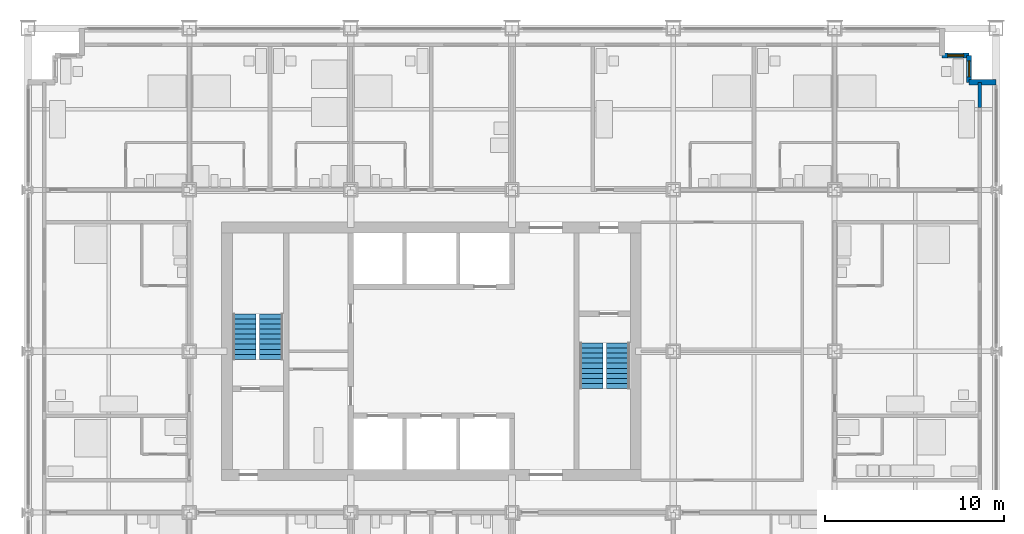
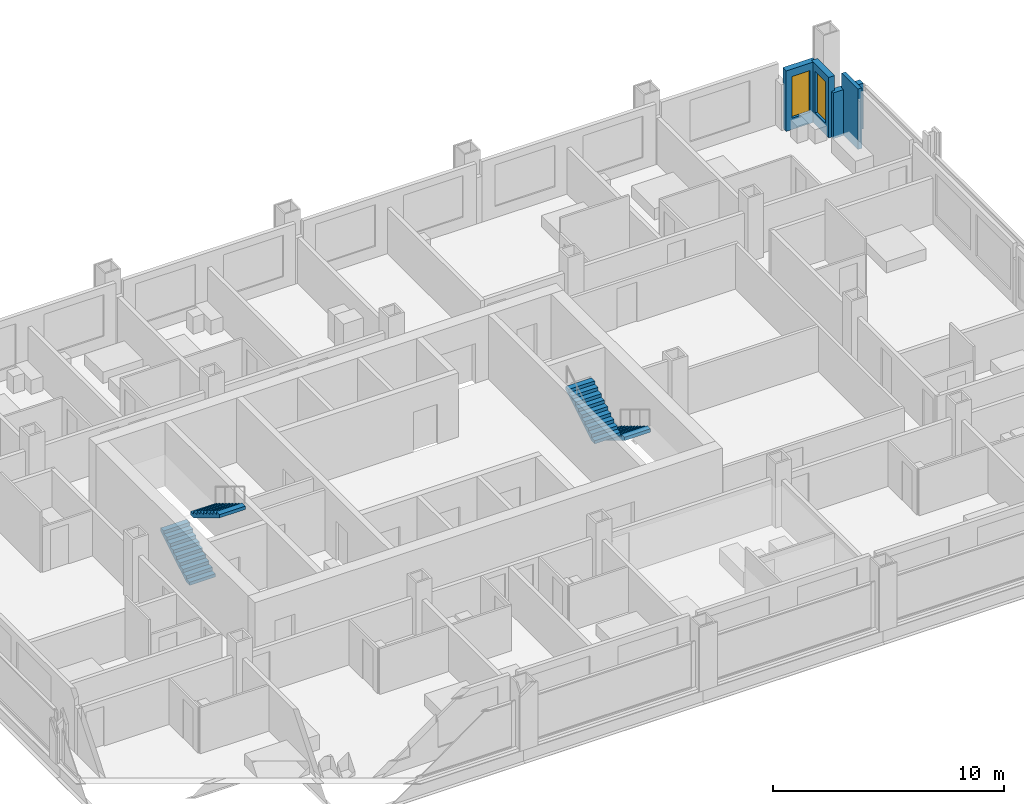
# One storey, part 15 of 18: 4 stair flights, 4 walls, 2 windows, 2 openings, 2 elements without a shape of their own.
"""IFC4 building model written with IfcOpenShell, lengths in metres."""

from ifc_helpers import new_model, si_unit, direction, frame, frame_2d, origin, place, context, subcontext, project, spatial, polyline, rectangle, outline, extrude, material, layer, layer_set, type_object, element, fill, aggregate, save


model = new_model("IFC4")

# Units and contexts
model_context = context("Model", 3, precision=1e-05, world=origin(), true_north=direction((0.0, 1.0)))
body_context = subcontext(model_context, "Body", "Model", "MODEL_VIEW")
ifc_project = project(units=[si_unit("LENGTHUNIT", "METRE"), si_unit("AREAUNIT", "SQUARE_METRE"), si_unit("VOLUMEUNIT", "CUBIC_METRE"), si_unit("PLANEANGLEUNIT", "RADIAN"), si_unit("MASSUNIT", "GRAM", prefix="KILO")], contexts=[model_context])

# Site, building, storey
site_placement = place(None, origin())
site = spatial("IfcSite", under=ifc_project, at=site_placement, CompositionType="ELEMENT")
building_placement = place(site_placement, origin())
building = spatial("IfcBuilding", under=site, at=building_placement, Name="Loomwork Tower", CompositionType="ELEMENT")
storey_placement = place(building_placement, frame((0.0, 0.0, 62.0)))
storey = spatial("IfcBuildingStorey", under=building, at=storey_placement, Name="L15", CompositionType="ELEMENT", Elevation=62.0)

# Walls
ifc_material_1 = material(Name="Insulated steel stud wall with gypsum lining", Category="steel")
ifc_layer_1 = layer(ifc_material_1, 0.199951171875)
ifc_layer_set_1 = layer_set([ifc_layer_1], Name="Inner skin wall 200")
wall_type_1 = type_object("IfcWallType", Name="Inner skin wall 200", PredefinedType="SOLIDWALL", material=ifc_layer_set_1)
wall_1_placement = place(storey_placement, frame((53.10009765625, 31.607421875, 0.0), z_axis=(0.0, 0.0, 1.0), x_axis=(0.0, 1.0, 0.0)))
element("IfcWall", 1, at=wall_1_placement, inside=storey, type_object=wall_type_1, Name="Inner skin wall E bay 11", PredefinedType="SOLIDWALL", context=body_context, shape_type="SweptSolid", body=[
    extrude(rectangle(XDim=1.392578125, YDim=0.199951171875, at=frame_2d((0.6962890625, 0.0))), origin(), (0.0, 0.0, 1.0), 3.199951171875),
])
ifc_material_2 = material(Name="Limestone on concrete masonry", Category="masonry")
ifc_layer_2 = layer(ifc_material_2, 0.300048828125)
ifc_layer_set_2 = layer_set([ifc_layer_2], Name="Limestone corner wall 300")
wall_type_2 = type_object("IfcWallType", Name="Limestone corner wall 300", PredefinedType="SOLIDWALL", material=ifc_layer_set_2)
wall_2_placement = place(storey_placement, frame((54.0, 33.0, 0.0), z_axis=(0.0, 0.0, 1.0), x_axis=(-1.0, 0.0, 0.0)))
element("IfcWall", 2, at=wall_2_placement, inside=storey, type_object=wall_type_2, Name="Stone corner wall NE 1", PredefinedType="SOLIDWALL", context=body_context, shape_type="SweptSolid", body=[
    extrude(rectangle(XDim=1.5, YDim=0.300048828125, at=frame_2d((0.75, 0.0))), origin(), (0.0, 0.0, 1.0), 2.419921875),
])

# Wall, opening, window
wall_3_placement = place(storey_placement, frame((52.5, 33.0, 0.0), z_axis=(0.0, 0.0, 1.0), x_axis=(0.0, 1.0, 0.0)))
wall_3 = element("IfcWall", 3, at=wall_3_placement, inside=storey, type_object=wall_type_2, Name="Stone corner wall NE 2", PredefinedType="SOLIDWALL", context=body_context, shape_type="SweptSolid", body=[
    extrude(rectangle(XDim=1.5, YDim=0.300048828125, at=frame_2d((0.75, 0.0))), origin(), (0.0, 0.0, 1.0), 3.199951171875),
])
opening_1_placement = place(wall_3_placement, frame((0.300048828125, 0.0, 0.60009765625)))
opening_1 = element("IfcOpeningElement", 4, at=opening_1_placement, cuts=wall_3, Name="Opening CH2", PredefinedType="OPENING", context=body_context, shape_type="SweptSolid", body=[
    extrude(rectangle(XDim=0.89990234375, YDim=2.199951171875, at=frame_2d((0.449951171875, 1.10009765625))), frame((0.0, 0.159912109375, 0.0), z_axis=(0.0, -1.0, 0.0), x_axis=(1.0, 0.0, 0.0)), (0.0, 0.0, 1.0), 0.320068359375),
])
ifc_material_3 = material(Name="Aluminium frame with clear insulated glass", Category="aluminium")
window_type = type_object("IfcWindowType", Name="Corner window 900", PartitioningType="SINGLE_PANEL", PredefinedType="WINDOW", material=ifc_material_3)
window_1_placement = place(opening_1_placement, origin())
window_1 = element("IfcWindow", 5, at=window_1_placement, inside=storey, type_object=window_type, Name="Corner window NE", OverallHeight=2.199951171875, OverallWidth=0.89990234375, PartitioningType="SINGLE_PANEL", PredefinedType="WINDOW", context=body_context, shape_type="SweptSolid", body=[
    extrude(rectangle(XDim=0.89990234375, YDim=2.199951171875, at=frame_2d((0.449951171875, 1.10009765625))), frame((0.0, 0.030029296875, 0.0), z_axis=(0.0, -1.0, 0.0), x_axis=(1.0, 0.0, 0.0)), (0.0, 0.0, 1.0), 0.06005859375),
])
fill(opening_1, window_1)

wall_4_placement = place(storey_placement, frame((52.5, 34.5, 0.0), z_axis=(0.0, 0.0, 1.0), x_axis=(-1.0, 0.0, 0.0)))
wall_4 = element("IfcWall", 6, at=wall_4_placement, inside=storey, type_object=wall_type_2, Name="Stone corner wall NE 3", PredefinedType="SOLIDWALL", context=body_context, shape_type="SweptSolid", body=[
    extrude(rectangle(XDim=1.5, YDim=0.300048828125, at=frame_2d((0.75, 0.0))), origin(), (0.0, 0.0, 1.0), 3.199951171875),
])
opening_2_placement = place(wall_4_placement, frame((0.300048828125, 0.0, 0.60009765625)))
opening_2 = element("IfcOpeningElement", 7, at=opening_2_placement, cuts=wall_4, Name="Opening CH2", PredefinedType="OPENING", context=body_context, shape_type="SweptSolid", body=[
    extrude(rectangle(XDim=0.89990234375, YDim=2.199951171875, at=frame_2d((0.449951171875, 1.10009765625))), frame((0.0, 0.159912109375, 0.0), z_axis=(0.0, -1.0, 0.0), x_axis=(1.0, 0.0, 0.0)), (0.0, 0.0, 1.0), 0.320068359375),
])
window_2_placement = place(opening_2_placement, origin())
window_2 = element("IfcWindow", 8, at=window_2_placement, inside=storey, type_object=window_type, Name="Corner window NE", OverallHeight=2.199951171875, OverallWidth=0.89990234375, PartitioningType="SINGLE_PANEL", PredefinedType="WINDOW", context=body_context, shape_type="SweptSolid", body=[
    extrude(rectangle(XDim=0.89990234375, YDim=2.199951171875, at=frame_2d((0.449951171875, 1.10009765625))), frame((0.0, 0.030029296875, 0.0), z_axis=(0.0, -1.0, 0.0), x_axis=(1.0, 0.0, 0.0)), (0.0, 0.0, 1.0), 0.06005859375),
])
fill(opening_2, window_2)

# Stair, stair flights
ifc_material_4 = material(Name="Concrete 5000 psi (34 MPa) precast stair", Category="concrete")
stair_type_1 = type_object("IfcStairType", Name="Stair ST-A 20 risers 2850 wide", PredefinedType="HALF_TURN_STAIR", material=ifc_material_4)
stair_1_placement = place(storey_placement, origin())
stair_1 = element("IfcStair", 9, at=stair_1_placement, inside=storey, type_object=stair_type_1, Name="Stair A L15", PredefinedType="HALF_TURN_STAIR")
ifc_material_5 = material(Name="Concrete 5000 psi (34 MPa) precast stair", Category="concrete")
stair_flight_type_1 = type_object("IfcStairFlightType", Name="Stair flight ST-A 10 risers 1300 wide", PredefinedType="STRAIGHT", material=ifc_material_5)
stair_flight_1_placement = place(storey_placement, frame((12.074951171875, 17.550048828125, 0.0), z_axis=(0.0, 0.0, 1.0), x_axis=(0.0, 1.0, 0.0)))
stair_flight_1 = element("IfcStairFlight", 10, at=stair_flight_1_placement, type_object=stair_flight_type_1, Name="ST-A flight 1", NumberOfRisers=10, NumberOfTreads=9, PredefinedType="STRAIGHT", RiserHeight=0.17, TreadLength=0.28, context=body_context, shape_type="SweptSolid", body=[
    extrude(outline(polyline([(0.0, 0.0), (0.0, 0.169921875), (0.280029296875, 0.169921875), (0.280029296875, 0.340087890625), (0.56005859375, 0.340087890625), (0.56005859375, 0.510009765625), (0.840087890625, 0.510009765625), (0.840087890625, 0.679931640625), (1.1201171875, 0.679931640625), (1.1201171875, 0.85009765625), (1.39990234375, 0.85009765625), (1.39990234375, 1.02001953125), (1.679931640625, 1.02001953125), (1.679931640625, 1.18994140625), (1.9599609375, 1.18994140625), (1.9599609375, 1.360107421875), (2.239990234375, 1.360107421875), (2.239990234375, 1.530029296875), (2.52001953125, 1.530029296875), (2.52001953125, 1.699951171875), (2.52001953125, 1.354736328125), (0.288818359375, 0.0), (0.0, 0.0)])), frame((0.0, 0.64990234375, 0.0), z_axis=(0.0, -1.0, 0.0), x_axis=(1.0, 0.0, 0.0)), (0.0, 0.0, 1.0), 1.300048828125),
])
stair_flight_2_placement = place(storey_placement, frame((13.574951171875, 20.070068359375, 1.699951171875), z_axis=(0.0, 0.0, 1.0), x_axis=(0.0, -1.0, 0.0)))
stair_flight_2 = element("IfcStairFlight", 11, at=stair_flight_2_placement, type_object=stair_flight_type_1, Name="ST-A flight 2", NumberOfRisers=10, NumberOfTreads=9, PredefinedType="STRAIGHT", RiserHeight=0.17, TreadLength=0.28, context=body_context, shape_type="SweptSolid", body=[
    extrude(outline(polyline([(0.0, 0.0), (0.0, 0.169921875), (0.280029296875, 0.169921875), (0.280029296875, 0.340087890625), (0.56005859375, 0.340087890625), (0.56005859375, 0.510009765625), (0.840087890625, 0.510009765625), (0.840087890625, 0.679931640625), (1.1201171875, 0.679931640625), (1.1201171875, 0.85009765625), (1.39990234375, 0.85009765625), (1.39990234375, 1.02001953125), (1.679931640625, 1.02001953125), (1.679931640625, 1.18994140625), (1.9599609375, 1.18994140625), (1.9599609375, 1.360107421875), (2.239990234375, 1.360107421875), (2.239990234375, 1.530029296875), (2.52001953125, 1.530029296875), (2.52001953125, 1.699951171875), (2.52001953125, 1.354736328125), (0.288818359375, 0.0), (0.0, 0.0)])), frame((0.0, 0.64990234375, 0.0), z_axis=(0.0, -1.0, 0.0), x_axis=(1.0, 0.0, 0.0)), (0.0, 0.0, 1.0), 1.300048828125),
])
aggregate(stair_1, [stair_flight_1, stair_flight_2])

ifc_material_6 = material(Name="Concrete 5000 psi (34 MPa) precast stair", Category="concrete")
stair_type_2 = type_object("IfcStairType", Name="Stair ST-B 20 risers 2850 wide", PredefinedType="HALF_TURN_STAIR", material=ifc_material_6)
stair_2_placement = place(storey_placement, origin())
stair_2 = element("IfcStair", 12, at=stair_2_placement, inside=storey, type_object=stair_type_2, Name="Stair B L15", PredefinedType="HALF_TURN_STAIR")
ifc_material_7 = material(Name="Concrete 5000 psi (34 MPa) precast stair", Category="concrete")
stair_flight_type_2 = type_object("IfcStairFlightType", Name="Stair flight ST-B 10 risers 1300 wide", PredefinedType="STRAIGHT", material=ifc_material_7)
stair_flight_3_placement = place(storey_placement, frame((32.925048828125, 18.449951171875, 0.0), z_axis=(0.0, 0.0, 1.0), x_axis=(0.0, -1.0, 0.0)))
stair_flight_3 = element("IfcStairFlight", 13, at=stair_flight_3_placement, type_object=stair_flight_type_2, Name="ST-B flight 1", NumberOfRisers=10, NumberOfTreads=9, PredefinedType="STRAIGHT", RiserHeight=0.17, TreadLength=0.28, context=body_context, shape_type="SweptSolid", body=[
    extrude(outline(polyline([(0.0, 0.0), (0.0, 0.169921875), (0.280029296875, 0.169921875), (0.280029296875, 0.340087890625), (0.56005859375, 0.340087890625), (0.56005859375, 0.510009765625), (0.840087890625, 0.510009765625), (0.840087890625, 0.679931640625), (1.1201171875, 0.679931640625), (1.1201171875, 0.85009765625), (1.39990234375, 0.85009765625), (1.39990234375, 1.02001953125), (1.679931640625, 1.02001953125), (1.679931640625, 1.18994140625), (1.9599609375, 1.18994140625), (1.9599609375, 1.360107421875), (2.239990234375, 1.360107421875), (2.239990234375, 1.530029296875), (2.52001953125, 1.530029296875), (2.52001953125, 1.699951171875), (2.52001953125, 1.354736328125), (0.288818359375, 0.0), (0.0, 0.0)])), frame((0.0, 0.64990234375, 0.0), z_axis=(0.0, -1.0, 0.0), x_axis=(1.0, 0.0, 0.0)), (0.0, 0.0, 1.0), 1.300048828125),
])
stair_flight_4_placement = place(storey_placement, frame((31.425048828125, 15.929931640625, 1.699951171875), z_axis=(0.0, 0.0, 1.0), x_axis=(0.0, 1.0, 0.0)))
stair_flight_4 = element("IfcStairFlight", 14, at=stair_flight_4_placement, type_object=stair_flight_type_2, Name="ST-B flight 2", NumberOfRisers=10, NumberOfTreads=9, PredefinedType="STRAIGHT", RiserHeight=0.17, TreadLength=0.28, context=body_context, shape_type="SweptSolid", body=[
    extrude(outline(polyline([(0.0, 0.0), (0.0, 0.169921875), (0.280029296875, 0.169921875), (0.280029296875, 0.340087890625), (0.56005859375, 0.340087890625), (0.56005859375, 0.510009765625), (0.840087890625, 0.510009765625), (0.840087890625, 0.679931640625), (1.1201171875, 0.679931640625), (1.1201171875, 0.85009765625), (1.39990234375, 0.85009765625), (1.39990234375, 1.02001953125), (1.679931640625, 1.02001953125), (1.679931640625, 1.18994140625), (1.9599609375, 1.18994140625), (1.9599609375, 1.360107421875), (2.239990234375, 1.360107421875), (2.239990234375, 1.530029296875), (2.52001953125, 1.530029296875), (2.52001953125, 1.699951171875), (2.52001953125, 1.354736328125), (0.288818359375, 0.0), (0.0, 0.0)])), frame((0.0, 0.64990234375, 0.0), z_axis=(0.0, -1.0, 0.0), x_axis=(1.0, 0.0, 0.0)), (0.0, 0.0, 1.0), 1.300048828125),
])
aggregate(stair_2, [stair_flight_3, stair_flight_4])

save(model, "model.ifc")
